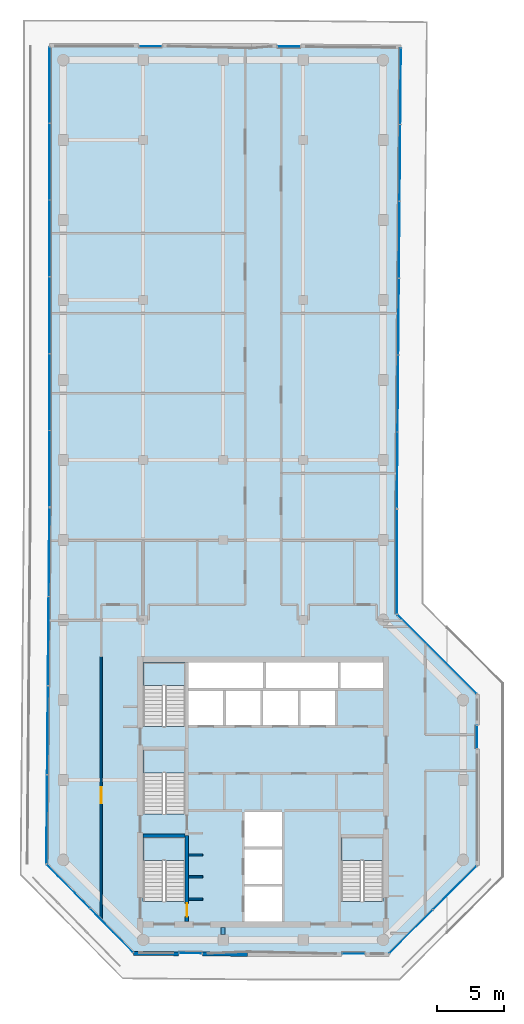
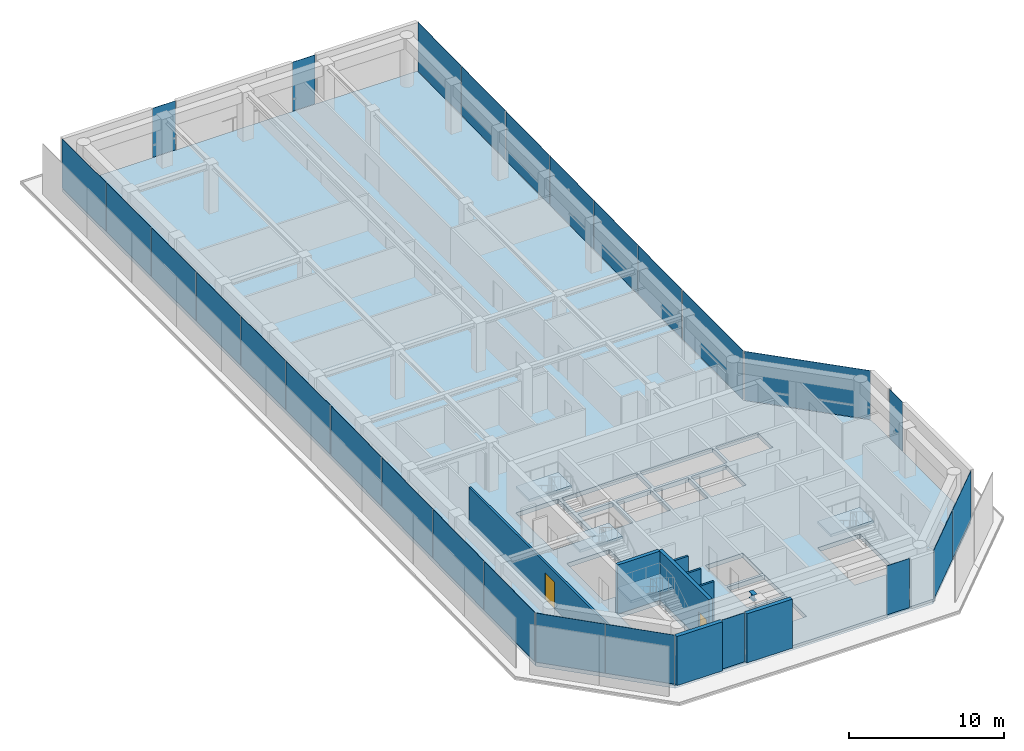
# One storey, part 14 of 19: 27 plates, 8 walls, 5 slabs, 2 doors, 1 beam, 2 openings, 16 elements without a shape of their own.
"""IFC4 building model written with IfcOpenShell, lengths in metres."""

from ifc_helpers import new_model, si_unit, direction, frame, frame_2d, origin, origin_2d, place, context, subcontext, project, spatial, polyline, rectangle, i_section, outline, extrude, material, layer, layer_set, material_profile, profile_set, type_object, element, fill, aggregate, save


model = new_model("IFC4")

# Units and contexts
model_context = context("Model", 3, precision=1e-05, world=origin(), true_north=direction((0.0, 1.0)))
body_context = subcontext(model_context, "Body", "Model", "MODEL_VIEW")
ifc_project = project(units=[si_unit("LENGTHUNIT", "METRE"), si_unit("AREAUNIT", "SQUARE_METRE"), si_unit("VOLUMEUNIT", "CUBIC_METRE"), si_unit("PLANEANGLEUNIT", "RADIAN"), si_unit("MASSUNIT", "GRAM", prefix="KILO")], contexts=[model_context])

# Site, building, storey
site_placement = place(None, origin())
site = spatial("IfcSite", under=ifc_project, at=site_placement, CompositionType="ELEMENT")
building_placement = place(site_placement, origin())
building = spatial("IfcBuilding", under=site, at=building_placement, Name="Welwitschia Terrace Campus", CompositionType="ELEMENT")
storey_placement = place(building_placement, frame((0.0, 0.0, 230.60009765625)))
storey = spatial("IfcBuildingStorey", under=building, at=storey_placement, Name="L51", CompositionType="ELEMENT", Elevation=230.60009765625)

# Beam
ifc_material_1 = material(Name="Steel S355", Category="steel")
ifc_material_profile = material_profile(ifc_material_1, i_section(OverallWidth=0.300048828125, OverallDepth=0.489990234375, WebThickness=0.011962890625, FlangeThickness=0.02294921875, FilletRadius=0.027099609375, at=origin_2d()))
ifc_profile_set = profile_set([ifc_material_profile], Name="Steel S355")
beam_type = type_object("IfcBeamType", Name="Primary beam HE 500 A", PredefinedType="BEAM", material=ifc_profile_set)
beam_placement = place(storey_placement, frame((12.0, 4.400390625, 3.60498046875), z_axis=(0.0, 1.0, 0.0), x_axis=(-1.0, 0.0, 0.0)))
element("IfcBeam", 1, at=beam_placement, inside=storey, type_object=beam_type, Name="Primary beam PB5", PredefinedType="BEAM", context=body_context, shape_type="SweptSolid", body=[
    extrude(i_section(OverallWidth=0.300048828125, OverallDepth=0.489990234375, WebThickness=0.011962890625, FlangeThickness=0.02294921875, FilletRadius=0.027099609375, at=origin_2d()), origin(), (0.0, 0.0, 1.0), 0.549560546875),
])

# Curtain wall, plate
ifc_material_2 = material(Name="Bronze anodised aluminium", Category="aluminium")
ifc_layer_1 = layer(ifc_material_2, 0.1201171875)
ifc_layer_set_1 = layer_set([ifc_layer_1], Name="Bronze anodised aluminium")
curtain_wall_type = type_object("IfcCurtainWallType", Name="Curtain wall CW2 tower 6000", PredefinedType="NOTDEFINED", material=ifc_layer_set_1)
curtain_wall_1_placement = place(storey_placement, origin())
curtain_wall_1 = element("IfcCurtainWall", 2, at=curtain_wall_1_placement, inside=storey, type_object=curtain_wall_type, Name="CW L51.0.S0", PredefinedType="NOTDEFINED")
ifc_material_3 = material(Name="Tinted bronze-grey glass", Category="glass")
ifc_layer_2 = layer(ifc_material_3, 0.028076171875)
ifc_layer_set_2 = layer_set([ifc_layer_2], Name="Tinted bronze-grey glass")
plate_type = type_object("IfcPlateType", Name="Glass panel 28 tinted", PredefinedType="CURTAIN_PANEL", material=ifc_layer_set_2)
plate_1_placement = place(storey_placement, frame((6.547119140625, 71.030029296875, -0.000244140625), z_axis=(0.0, 0.0, 1.0), x_axis=(-1.0, 0.0, 0.0)))
plate_1 = element("IfcPlate", 3, at=plate_1_placement, type_object=plate_type, Name="Panel L51.0.S0.0", PredefinedType="CURTAIN_PANEL", context=body_context, shape_type="SweptSolid", body=[
    extrude(rectangle(XDim=1.679931640625, YDim=0.028076171875, at=origin_2d()), origin(), (0.0, 0.0, 1.0), 3.85009765625),
])
aggregate(curtain_wall_1, [plate_1])

# Curtain wall, plates
curtain_wall_2_placement = place(storey_placement, origin())
curtain_wall_2 = element("IfcCurtainWall", 4, at=curtain_wall_2_placement, inside=storey, type_object=curtain_wall_type, Name="CW L51.1.0", PredefinedType="NOTDEFINED")
plate_2_placement = place(storey_placement, frame((-1.030029296875, 68.133544921875, -0.000244140625), z_axis=(0.0, 0.0, 1.0), x_axis=(0.0, -1.0, 0.0)))
plate_2 = element("IfcPlate", 5, at=plate_2_placement, type_object=plate_type, Name="Panel L51.1.0.0", PredefinedType="CURTAIN_PANEL", context=body_context, shape_type="SweptSolid", body=[
    extrude(rectangle(XDim=5.6728515625, YDim=0.028076171875, at=origin_2d()), origin(), (0.0, 0.0, 1.0), 3.85009765625),
])
plate_3_placement = place(storey_placement, frame((-1.030029296875, 62.385986328125, -0.000244140625), z_axis=(0.0, 0.0, 1.0), x_axis=(0.0, -1.0, 0.0)))
plate_3 = element("IfcPlate", 6, at=plate_3_placement, type_object=plate_type, Name="Panel L51.1.0.1", PredefinedType="CURTAIN_PANEL", context=body_context, shape_type="SweptSolid", body=[
    extrude(rectangle(XDim=5.70263671875, YDim=0.028076171875, at=origin_2d()), origin(), (0.0, 0.0, 1.0), 3.85009765625),
])
plate_4_placement = place(storey_placement, frame((-1.030029296875, 56.623046875, -0.000244140625), z_axis=(0.0, 0.0, 1.0), x_axis=(0.0, -1.0, 0.0)))
plate_4 = element("IfcPlate", 7, at=plate_4_placement, type_object=plate_type, Name="Panel L51.1.0.2", PredefinedType="CURTAIN_PANEL", context=body_context, shape_type="SweptSolid", body=[
    extrude(rectangle(XDim=5.70263671875, YDim=0.028076171875, at=origin_2d()), origin(), (0.0, 0.0, 1.0), 3.85009765625),
])
plate_5_placement = place(storey_placement, frame((-1.030029296875, 50.8603515625, -0.000244140625), z_axis=(0.0, 0.0, 1.0), x_axis=(0.0, -1.0, 0.0)))
plate_5 = element("IfcPlate", 8, at=plate_5_placement, type_object=plate_type, Name="Panel L51.1.0.3", PredefinedType="CURTAIN_PANEL", context=body_context, shape_type="SweptSolid", body=[
    extrude(rectangle(XDim=5.70263671875, YDim=0.028076171875, at=origin_2d()), origin(), (0.0, 0.0, 1.0), 3.85009765625),
])
plate_6_placement = place(storey_placement, frame((-1.030029296875, 45.09765625, -0.000244140625), z_axis=(0.0, 0.0, 1.0), x_axis=(0.0, -1.0, 0.0)))
plate_6 = element("IfcPlate", 9, at=plate_6_placement, type_object=plate_type, Name="Panel L51.1.0.4", PredefinedType="CURTAIN_PANEL", context=body_context, shape_type="SweptSolid", body=[
    extrude(rectangle(XDim=5.70263671875, YDim=0.028076171875, at=origin_2d()), origin(), (0.0, 0.0, 1.0), 3.85009765625),
])
plate_7_placement = place(storey_placement, frame((-1.030029296875, 39.349853515625, -0.000244140625), z_axis=(0.0, 0.0, 1.0), x_axis=(0.0, -1.0, 0.0)))
plate_7 = element("IfcPlate", 10, at=plate_7_placement, type_object=plate_type, Name="Panel L51.1.0.5", PredefinedType="CURTAIN_PANEL", context=body_context, shape_type="SweptSolid", body=[
    extrude(rectangle(XDim=5.6728515625, YDim=0.028076171875, at=origin_2d()), origin(), (0.0, 0.0, 1.0), 3.85009765625),
])
aggregate(curtain_wall_2, [plate_2, plate_3, plate_4, plate_5, plate_6, plate_7])

curtain_wall_3_placement = place(storey_placement, origin())
curtain_wall_3 = element("IfcCurtainWall", 11, at=curtain_wall_3_placement, inside=storey, type_object=curtain_wall_type, Name="CW L51.2.0", PredefinedType="NOTDEFINED")
plate_8_placement = place(storey_placement, frame((-1.059326171875, 33.094970703125, -0.000244140625), z_axis=(0.0, 0.0, 1.0), x_axis=(-0.008726535498, -0.999961923064, 0.0)))
plate_8 = element("IfcPlate", 12, at=plate_8_placement, type_object=plate_type, Name="Panel L51.2.0.0", PredefinedType="CURTAIN_PANEL", context=body_context, shape_type="SweptSolid", body=[
    extrude(rectangle(XDim=6.597412109375, YDim=0.028076171875, at=origin_2d()), origin(), (0.0, 0.0, 1.0), 3.85009765625),
])
plate_9_placement = place(storey_placement, frame((-1.117431640625, 26.4228515625, -0.000244140625), z_axis=(0.0, 0.0, 1.0), x_axis=(-0.008726535498, -0.999961923064, 0.0)))
plate_9 = element("IfcPlate", 13, at=plate_9_placement, type_object=plate_type, Name="Panel L51.2.0.1", PredefinedType="CURTAIN_PANEL", context=body_context, shape_type="SweptSolid", body=[
    extrude(rectangle(XDim=6.627197265625, YDim=0.028076171875, at=origin_2d()), origin(), (0.0, 0.0, 1.0), 3.85009765625),
])
plate_10_placement = place(storey_placement, frame((-1.17578125, 19.73583984375, -0.000244140625), z_axis=(0.0, 0.0, 1.0), x_axis=(-0.008726535498, -0.999961923064, 0.0)))
plate_10 = element("IfcPlate", 14, at=plate_10_placement, type_object=plate_type, Name="Panel L51.2.0.2", PredefinedType="CURTAIN_PANEL", context=body_context, shape_type="SweptSolid", body=[
    extrude(rectangle(XDim=6.627197265625, YDim=0.028076171875, at=origin_2d()), origin(), (0.0, 0.0, 1.0), 3.85009765625),
])
plate_11_placement = place(storey_placement, frame((-1.234130859375, 13.063720703125, -0.000244140625), z_axis=(0.0, 0.0, 1.0), x_axis=(-0.008726535498, -0.999961923064, 0.0)))
plate_11 = element("IfcPlate", 15, at=plate_11_placement, type_object=plate_type, Name="Panel L51.2.0.3", PredefinedType="CURTAIN_PANEL", context=body_context, shape_type="SweptSolid", body=[
    extrude(rectangle(XDim=6.597412109375, YDim=0.028076171875, at=origin_2d()), origin(), (0.0, 0.0, 1.0), 3.85009765625),
])
aggregate(curtain_wall_3, [plate_8, plate_9, plate_10, plate_11])

curtain_wall_4_placement = place(storey_placement, origin())
curtain_wall_4 = element("IfcCurtainWall", 16, at=curtain_wall_4_placement, inside=storey, type_object=curtain_wall_type, Name="CW L51.3.0", PredefinedType="NOTDEFINED")
plate_12_placement = place(storey_placement, frame((0.383544921875, 8.029541015625, -0.000244140625), z_axis=(0.0, 0.0, 1.0), x_axis=(0.7009092643, -0.713250449154, 0.0)))
plate_12 = element("IfcPlate", 17, at=plate_12_placement, type_object=plate_type, Name="Panel L51.3.0.0", PredefinedType="CURTAIN_PANEL", context=body_context, shape_type="SweptSolid", body=[
    extrude(rectangle(XDim=4.579345703125, YDim=0.028076171875, at=origin_2d()), origin(), (0.0, 0.0, 1.0), 3.85009765625),
])
plate_13_placement = place(storey_placement, frame((3.63525390625, 4.720458984375, -0.000244140625), z_axis=(0.0, 0.0, 1.0), x_axis=(0.7009092643, -0.713250449154, 0.0)))
plate_13 = element("IfcPlate", 18, at=plate_13_placement, type_object=plate_type, Name="Panel L51.3.0.1", PredefinedType="CURTAIN_PANEL", context=body_context, shape_type="SweptSolid", body=[
    extrude(rectangle(XDim=4.579345703125, YDim=0.028076171875, at=origin_2d()), origin(), (0.0, 0.0, 1.0), 3.85009765625),
])
aggregate(curtain_wall_4, [plate_12, plate_13])

# Curtain wall, plate
curtain_wall_5_placement = place(storey_placement, origin())
curtain_wall_5 = element("IfcCurtainWall", 19, at=curtain_wall_5_placement, inside=storey, type_object=curtain_wall_type, Name="CW L51.4.S0", PredefinedType="NOTDEFINED")
plate_14_placement = place(storey_placement, frame((9.5546875, 3.00732421875, -0.000244140625), z_axis=(0.0, 0.0, 1.0), x_axis=(0.999961923064, -0.008726535498, 0.0)))
plate_14 = element("IfcPlate", 20, at=plate_14_placement, type_object=plate_type, Name="Panel L51.4.S0.0", PredefinedType="CURTAIN_PANEL", context=body_context, shape_type="SweptSolid", body=[
    extrude(rectangle(XDim=1.679931640625, YDim=0.028076171875, at=origin_2d()), origin(), (0.0, 0.0, 1.0), 3.85009765625),
])
aggregate(curtain_wall_5, [plate_14])

curtain_wall_6_placement = place(storey_placement, origin())
curtain_wall_6 = element("IfcCurtainWall", 21, at=curtain_wall_6_placement, inside=storey, type_object=curtain_wall_type, Name="CW L51.5.S0", PredefinedType="NOTDEFINED")
plate_15_placement = place(storey_placement, frame((21.77685546875, 2.969970703125, -0.000244140625), z_axis=(0.0, 0.0, 1.0), x_axis=(1.0, 0.0, 0.0)))
plate_15 = element("IfcPlate", 22, at=plate_15_placement, type_object=plate_type, Name="Panel L51.5.S0.0", PredefinedType="CURTAIN_PANEL", context=body_context, shape_type="SweptSolid", body=[
    extrude(rectangle(XDim=1.679931640625, YDim=0.028076171875, at=origin_2d()), origin(), (0.0, 0.0, 1.0), 3.85009765625),
])
aggregate(curtain_wall_6, [plate_15])

# Curtain wall, plates
curtain_wall_7_placement = place(storey_placement, origin())
curtain_wall_7 = element("IfcCurtainWall", 23, at=curtain_wall_7_placement, inside=storey, type_object=curtain_wall_type, Name="CW L51.6.0", PredefinedType="NOTDEFINED")
plate_16_placement = place(storey_placement, frame((26.088134765625, 4.63134765625, -0.000244140625), z_axis=(0.0, 0.0, 1.0), x_axis=(0.707106781187, 0.707106781187, 0.0)))
plate_16 = element("IfcPlate", 24, at=plate_16_placement, type_object=plate_type, Name="Panel L51.6.0.0", PredefinedType="CURTAIN_PANEL", context=body_context, shape_type="SweptSolid", body=[
    extrude(rectangle(XDim=4.579345703125, YDim=0.028076171875, at=origin_2d()), origin(), (0.0, 0.0, 1.0), 3.85009765625),
])
plate_17_placement = place(storey_placement, frame((29.36865234375, 7.911865234375, -0.000244140625), z_axis=(0.0, 0.0, 1.0), x_axis=(0.707106781187, 0.707106781187, 0.0)))
plate_17 = element("IfcPlate", 25, at=plate_17_placement, type_object=plate_type, Name="Panel L51.6.0.1", PredefinedType="CURTAIN_PANEL", context=body_context, shape_type="SweptSolid", body=[
    extrude(rectangle(XDim=4.579345703125, YDim=0.028076171875, at=origin_2d()), origin(), (0.0, 0.0, 1.0), 3.85009765625),
])
aggregate(curtain_wall_7, [plate_16, plate_17])

# Curtain wall, plate
curtain_wall_8_placement = place(storey_placement, origin())
curtain_wall_8 = element("IfcCurtainWall", 26, at=curtain_wall_8_placement, inside=storey, type_object=curtain_wall_type, Name="CW L51.7.S0", PredefinedType="NOTDEFINED")
plate_18_placement = place(storey_placement, frame((31.030029296875, 19.21337890625, -0.000244140625), z_axis=(0.0, 0.0, 1.0), x_axis=(0.0, 1.0, 0.0)))
plate_18 = element("IfcPlate", 27, at=plate_18_placement, type_object=plate_type, Name="Panel L51.7.S0.0", PredefinedType="CURTAIN_PANEL", context=body_context, shape_type="SweptSolid", body=[
    extrude(rectangle(XDim=1.679931640625, YDim=0.028076171875, at=origin_2d()), origin(), (0.0, 0.0, 1.0), 3.85009765625),
])
aggregate(curtain_wall_8, [plate_18])

curtain_wall_9_placement = place(storey_placement, origin())
curtain_wall_9 = element("IfcCurtainWall", 28, at=curtain_wall_9_placement, inside=storey, type_object=curtain_wall_type, Name="CW L51.8.0", PredefinedType="NOTDEFINED")
plate_19_placement = place(storey_placement, frame((28.030029296875, 25.4267578125, -0.000244140625), z_axis=(0.0, 0.0, 1.0), x_axis=(-0.707106781187, 0.707106781187, 0.0)))
plate_19 = element("IfcPlate", 29, at=plate_19_placement, type_object=plate_type, Name="Panel L51.8.0.0", PredefinedType="CURTAIN_PANEL", context=body_context, shape_type="SweptSolid", body=[
    extrude(rectangle(XDim=8.365234375, YDim=0.028076171875, at=origin_2d()), origin(), (0.0, 0.0, 1.0), 3.85009765625),
])
aggregate(curtain_wall_9, [plate_19])

curtain_wall_10_placement = place(storey_placement, origin())
curtain_wall_10 = element("IfcCurtainWall", 30, at=curtain_wall_10_placement, inside=storey, type_object=curtain_wall_type, Name="CW L51.9.0", PredefinedType="NOTDEFINED")
plate_20_placement = place(storey_placement, frame((25.030029296875, 32.38330078125, -0.000244140625), z_axis=(0.0, 0.0, 1.0), x_axis=(0.0, 1.0, 0.0)))
plate_20 = element("IfcPlate", 31, at=plate_20_placement, type_object=plate_type, Name="Panel L51.9.0.0", PredefinedType="CURTAIN_PANEL", context=body_context, shape_type="SweptSolid", body=[
    extrude(rectangle(XDim=7.793212890625, YDim=0.028076171875, at=origin_2d()), origin(), (0.0, 0.0, 1.0), 3.85009765625),
])
aggregate(curtain_wall_10, [plate_20])

# Curtain wall, plates
curtain_wall_11_placement = place(storey_placement, origin())
curtain_wall_11 = element("IfcCurtainWall", 32, at=curtain_wall_11_placement, inside=storey, type_object=curtain_wall_type, Name="CW L51.10.0", PredefinedType="NOTDEFINED")
plate_21_placement = place(storey_placement, frame((25.05517578125, 39.237548828125, -0.000244140625), z_axis=(0.0, 0.0, 1.0), x_axis=(0.008726535498, 0.999961923064, 0.0)))
plate_21 = element("IfcPlate", 33, at=plate_21_placement, type_object=plate_type, Name="Panel L51.10.0.0", PredefinedType="CURTAIN_PANEL", context=body_context, shape_type="SweptSolid", body=[
    extrude(rectangle(XDim=5.675537109375, YDim=0.028076171875, at=origin_2d()), origin(), (0.0, 0.0, 1.0), 3.85009765625),
])
plate_22_placement = place(storey_placement, frame((25.10546875, 44.988037109375, -0.000244140625), z_axis=(0.0, 0.0, 1.0), x_axis=(0.008726535498, 0.999961923064, 0.0)))
plate_22 = element("IfcPlate", 34, at=plate_22_placement, type_object=plate_type, Name="Panel L51.10.0.1", PredefinedType="CURTAIN_PANEL", context=body_context, shape_type="SweptSolid", body=[
    extrude(rectangle(XDim=5.70556640625, YDim=0.028076171875, at=origin_2d()), origin(), (0.0, 0.0, 1.0), 3.85009765625),
])
plate_23_placement = place(storey_placement, frame((25.15576171875, 50.75341796875, -0.000244140625), z_axis=(0.0, 0.0, 1.0), x_axis=(0.008726535498, 0.999961923064, 0.0)))
plate_23 = element("IfcPlate", 35, at=plate_23_placement, type_object=plate_type, Name="Panel L51.10.0.2", PredefinedType="CURTAIN_PANEL", context=body_context, shape_type="SweptSolid", body=[
    extrude(rectangle(XDim=5.70556640625, YDim=0.028076171875, at=origin_2d()), origin(), (0.0, 0.0, 1.0), 3.85009765625),
])
plate_24_placement = place(storey_placement, frame((25.2060546875, 56.518798828125, -0.000244140625), z_axis=(0.0, 0.0, 1.0), x_axis=(0.008726535498, 0.999961923064, 0.0)))
plate_24 = element("IfcPlate", 36, at=plate_24_placement, type_object=plate_type, Name="Panel L51.10.0.3", PredefinedType="CURTAIN_PANEL", context=body_context, shape_type="SweptSolid", body=[
    extrude(rectangle(XDim=5.70556640625, YDim=0.028076171875, at=origin_2d()), origin(), (0.0, 0.0, 1.0), 3.85009765625),
])
plate_25_placement = place(storey_placement, frame((25.25634765625, 62.2841796875, -0.000244140625), z_axis=(0.0, 0.0, 1.0), x_axis=(0.008726535498, 0.999961923064, 0.0)))
plate_25 = element("IfcPlate", 37, at=plate_25_placement, type_object=plate_type, Name="Panel L51.10.0.4", PredefinedType="CURTAIN_PANEL", context=body_context, shape_type="SweptSolid", body=[
    extrude(rectangle(XDim=5.70556640625, YDim=0.028076171875, at=origin_2d()), origin(), (0.0, 0.0, 1.0), 3.85009765625),
])
plate_26_placement = place(storey_placement, frame((25.306640625, 68.034423828125, -0.000244140625), z_axis=(0.0, 0.0, 1.0), x_axis=(0.008726535498, 0.999961923064, 0.0)))
plate_26 = element("IfcPlate", 38, at=plate_26_placement, type_object=plate_type, Name="Panel L51.10.0.5", PredefinedType="CURTAIN_PANEL", context=body_context, shape_type="SweptSolid", body=[
    extrude(rectangle(XDim=5.675537109375, YDim=0.028076171875, at=origin_2d()), origin(), (0.0, 0.0, 1.0), 3.85009765625),
])
aggregate(curtain_wall_11, [plate_21, plate_22, plate_23, plate_24, plate_25, plate_26])

# Curtain wall, plate
curtain_wall_12_placement = place(storey_placement, origin())
curtain_wall_12 = element("IfcCurtainWall", 39, at=curtain_wall_12_placement, inside=storey, type_object=curtain_wall_type, Name="CW L51.11.S0", PredefinedType="NOTDEFINED")
plate_27_placement = place(storey_placement, frame((16.926025390625, 71.005615234375, -0.000244140625), z_axis=(0.0, 0.0, 1.0), x_axis=(-0.999961923064, 0.008726535498, 0.0)))
plate_27 = element("IfcPlate", 40, at=plate_27_placement, type_object=plate_type, Name="Panel L51.11.S0.0", PredefinedType="CURTAIN_PANEL", context=body_context, shape_type="SweptSolid", body=[
    extrude(rectangle(XDim=1.679931640625, YDim=0.028076171875, at=origin_2d()), origin(), (0.0, 0.0, 1.0), 3.85009765625),
])
aggregate(curtain_wall_12, [plate_27])

# Stair, slab
ifc_material_4 = material(Name="Concrete C40/50", Category="concrete")
stair_type = type_object("IfcStairType", Name="Stair 24R 175 W1500", PredefinedType="HALF_TURN_STAIR", material=ifc_material_4)
stair_1_placement = place(storey_placement, origin())
stair_1 = element("IfcStair", 41, at=stair_1_placement, inside=storey, type_object=stair_type, Name="L51 Exit stair S1", PredefinedType="HALF_TURN_STAIR")
ifc_material_5 = material(Name="Concrete C40/50", Category="concrete")
ifc_layer_3 = layer(ifc_material_5, 0.199951171875)
ifc_layer_set_3 = layer_set([ifc_layer_3], Name="Concrete C40/50")
slab_type_1 = type_object("IfcSlabType", Name="Stair landing RC", PredefinedType="LANDING", material=ifc_layer_set_3)
slab_1_placement = place(storey_placement, frame((0.0, 0.0, 1.89990234375)))
slab_1 = element("IfcSlab", 42, at=slab_1_placement, type_object=slab_type_1, Name="S1 landing 1", PredefinedType="LANDING", context=body_context, shape_type="SweptSolid", body=[
    extrude(outline(polyline([(9.14990234375, 9.97998046875), (9.14990234375, 11.699951171875), (6.0, 11.699951171875), (6.0, 9.97998046875), (9.14990234375, 9.97998046875)])), origin(), (0.0, 0.0, 1.0), 0.199951171875),
])
aggregate(stair_1, [slab_1])

stair_2_placement = place(storey_placement, origin())
stair_2 = element("IfcStair", 43, at=stair_2_placement, inside=storey, type_object=stair_type, Name="L51 Exit stair S3", PredefinedType="HALF_TURN_STAIR")
slab_2_placement = place(storey_placement, frame((0.0, 0.0, 1.89990234375)))
slab_2 = element("IfcSlab", 44, at=slab_2_placement, type_object=slab_type_1, Name="S3 landing 1", PredefinedType="LANDING", context=body_context, shape_type="SweptSolid", body=[
    extrude(outline(polyline([(9.14990234375, 16.530029296875), (9.14990234375, 18.25), (6.0, 18.25), (6.0, 16.530029296875), (9.14990234375, 16.530029296875)])), origin(), (0.0, 0.0, 1.0), 0.199951171875),
])
aggregate(stair_2, [slab_2])

stair_3_placement = place(storey_placement, origin())
stair_3 = element("IfcStair", 45, at=stair_3_placement, inside=storey, type_object=stair_type, Name="L51 Exit stair S4", PredefinedType="HALF_TURN_STAIR")
slab_3_placement = place(storey_placement, frame((0.0, 0.0, 1.89990234375)))
slab_3 = element("IfcSlab", 46, at=slab_3_placement, type_object=slab_type_1, Name="S4 landing 1", PredefinedType="LANDING", context=body_context, shape_type="SweptSolid", body=[
    extrude(outline(polyline([(9.14990234375, 23.080078125), (9.14990234375, 24.800048828125), (6.0, 24.800048828125), (6.0, 23.080078125), (9.14990234375, 23.080078125)])), origin(), (0.0, 0.0, 1.0), 0.199951171875),
])
aggregate(stair_3, [slab_3])

stair_4_placement = place(storey_placement, origin())
stair_4 = element("IfcStair", 47, at=stair_4_placement, inside=storey, type_object=stair_type, Name="L51 Exit stair S2", PredefinedType="HALF_TURN_STAIR")
slab_4_placement = place(storey_placement, frame((0.0, 0.0, 1.89990234375)))
slab_4 = element("IfcSlab", 48, at=slab_4_placement, type_object=slab_type_1, Name="S2 landing 1", PredefinedType="LANDING", context=body_context, shape_type="SweptSolid", body=[
    extrude(outline(polyline([(24.0, 9.97998046875), (24.0, 11.699951171875), (20.85009765625, 11.699951171875), (20.85009765625, 9.97998046875), (24.0, 9.97998046875)])), origin(), (0.0, 0.0, 1.0), 0.199951171875),
])
aggregate(stair_4, [slab_4])

# Slab
ifc_material_6 = material(Name="Concrete C40/50", Category="concrete")
ifc_layer_4 = layer(ifc_material_6, 0.35009765625)
ifc_layer_set_4 = layer_set([ifc_layer_4], Name="Concrete C40/50")
slab_type_2 = type_object("IfcSlabType", Name="Suspended floor slab 350", PredefinedType="FLOOR", material=ifc_layer_set_4)
slab_5_placement = place(storey_placement, frame((0.0, 0.0, -0.35009765625)))
element("IfcSlab", 49, at=slab_5_placement, inside=storey, type_object=slab_type_2, Name="Floor slab L51", PredefinedType="FLOOR", context=body_context, shape_type="SweptSolid", body=[
    extrude(outline(polyline([(25.301513671875, 70.90234375), (25.0, 36.340087890625), (25.0, 28.414306640625), (31.0, 22.414306640625), (31.0, 9.585693359375), (24.414306640625, 3.0), (13.827392578125, 3.0), (5.294677734375, 3.074462890625), (-1.2333984375, 9.717529296875), (-1.0, 36.453369140625), (-1.0, 71.0), (14.1240234375, 71.0), (25.301513671875, 70.90234375)]), holes=[polyline([(13.60009765625, 8.0), (13.60009765625, 5.39990234375), (16.39990234375, 5.39990234375), (16.39990234375, 8.0), (13.60009765625, 8.0)]), polyline([(9.14990234375, 11.699951171875), (6.0, 11.699951171875), (6.0, 6.902099609375), (9.14990234375, 6.902099609375), (9.14990234375, 11.699951171875)]), polyline([(9.14990234375, 18.25), (6.0, 18.25), (6.0, 13.451904296875), (9.14990234375, 13.451904296875), (9.14990234375, 18.25)]), polyline([(12.0, 22.699951171875), (9.39990234375, 22.699951171875), (9.39990234375, 20.10009765625), (12.0, 20.10009765625), (12.0, 22.699951171875)]), polyline([(14.800048828125, 22.699951171875), (12.199951171875, 22.699951171875), (12.199951171875, 20.10009765625), (14.800048828125, 20.10009765625), (14.800048828125, 22.699951171875)]), polyline([(9.14990234375, 24.800048828125), (6.0, 24.800048828125), (6.0, 20.001953125), (9.14990234375, 20.001953125), (9.14990234375, 24.800048828125)]), polyline([(15.0, 24.800048828125), (9.39990234375, 24.800048828125), (9.39990234375, 22.89990234375), (15.0, 22.89990234375), (15.0, 24.800048828125)]), polyline([(20.85009765625, 11.699951171875), (20.85009765625, 6.902099609375), (24.0, 6.902099609375), (24.0, 11.699951171875), (20.85009765625, 11.699951171875)]), polyline([(16.39990234375, 10.800048828125), (13.60009765625, 10.800048828125), (13.60009765625, 8.199951171875), (16.39990234375, 8.199951171875), (16.39990234375, 10.800048828125)]), polyline([(16.39990234375, 13.60009765625), (13.60009765625, 13.60009765625), (13.60009765625, 11.0), (16.39990234375, 11.0), (16.39990234375, 13.60009765625)]), polyline([(17.60009765625, 22.699951171875), (15.0, 22.699951171875), (15.0, 20.10009765625), (17.60009765625, 20.10009765625), (17.60009765625, 22.699951171875)]), polyline([(20.39990234375, 22.699951171875), (17.800048828125, 22.699951171875), (17.800048828125, 20.10009765625), (20.39990234375, 20.10009765625), (20.39990234375, 22.699951171875)]), polyline([(20.60009765625, 24.800048828125), (15.199951171875, 24.800048828125), (15.199951171875, 22.89990234375), (20.60009765625, 22.89990234375), (20.60009765625, 24.800048828125)]), polyline([(24.0, 24.800048828125), (20.800048828125, 24.800048828125), (20.800048828125, 22.89990234375), (24.0, 22.89990234375), (24.0, 24.800048828125)])]), origin(), (0.0, 0.0, 1.0), 0.35009765625),
])

# Walls
ifc_material_7 = material(Name="Concrete C50/60", Category="concrete")
ifc_layer_5 = layer(ifc_material_7, 0.14990234375)
ifc_layer_set_5 = layer_set([ifc_layer_5], Name="Concrete C50/60")
wall_type_1 = type_object("IfcWallType", Name="Core wall 150 Concrete C50/60", PredefinedType="SHEAR", material=ifc_layer_set_5)
for number, where, z_axis, x_axis, name in (
    (50, (9.39990234375, 7.074951171875, 0.0), (0.0, 0.0, 1.0), (1.0, 0.0, 0.0), "Core wall"),
    (51, (9.39990234375, 8.72509765625, 0.0), (0.0, 0.0, 1.0), (1.0, 0.0, 0.0), "Core wall"),
    (52, (9.39990234375, 10.375, 0.0), (0.0, 0.0, 1.0), (1.0, 0.0, 0.0), "Core wall"),
):
    element("IfcWall", number, at=place(storey_placement, frame(where, z_axis=z_axis, x_axis=x_axis)), inside=storey, type_object=wall_type_1, Name=name, PredefinedType="SHEAR", context=body_context, shape_type="SweptSolid", body=[
        extrude(rectangle(XDim=1.050048828125, YDim=0.14990234375, at=frame_2d((0.52490234375, 0.0))), origin(), (0.0, 0.0, 1.0), 3.849853515625),
    ])
ifc_material_8 = material(Name="Concrete C50/60", Category="concrete")
ifc_layer_6 = layer(ifc_material_8, 0.25)
ifc_layer_set_6 = layer_set([ifc_layer_6], Name="Concrete C50/60")
wall_type_2 = type_object("IfcWallType", Name="Core wall 250 Concrete C50/60", PredefinedType="SHEAR", material=ifc_layer_set_6)
wall_1_placement = place(storey_placement, frame((6.0, 11.824951171875, 0.0), z_axis=(0.0, 0.0, 1.0), x_axis=(1.0, 0.0, 0.0)))
element("IfcWall", 53, at=wall_1_placement, inside=storey, type_object=wall_type_2, Name="Core wall", PredefinedType="SHEAR", context=body_context, shape_type="SweptSolid", body=[
    extrude(rectangle(XDim=3.14990234375, YDim=0.25, at=frame_2d((1.574951171875, 0.0))), origin(), (0.0, 0.0, 1.0), 3.849853515625),
])

# Wall, opening, door
wall_2_placement = place(storey_placement, frame((9.27490234375, 11.824951171875, 0.0), z_axis=(0.0, 0.0, 1.0), x_axis=(0.0, -1.0, 0.0)))
wall_2 = element("IfcWall", 54, at=wall_2_placement, inside=storey, type_object=wall_type_2, Name="Core wall", PredefinedType="SHEAR", context=body_context, shape_type="SweptSolid", body=[
    extrude(rectangle(XDim=6.425048828125, YDim=0.25, at=frame_2d((3.21240234375, 0.0))), origin(), (0.0, 0.0, 1.0), 3.849853515625),
])
opening_1_placement = place(wall_2_placement, frame((5.074951171875, 0.0, 0.0)))
opening_1 = element("IfcOpeningElement", 55, at=opening_1_placement, cuts=wall_2, Name="Opening DS10", PredefinedType="OPENING", context=body_context, shape_type="SweptSolid", body=[
    extrude(rectangle(XDim=1.0, YDim=2.10009765625, at=frame_2d((0.5, 1.050048828125))), frame((0.0, 0.135009765625, 0.0), z_axis=(0.0, -1.0, 0.0), x_axis=(1.0, 0.0, 0.0)), (0.0, 0.0, 1.0), 0.27001953125),
])
ifc_material_9 = material(Name="Steel S275", Category="steel")
door_type_1 = type_object("IfcDoorType", Name="Core door DS10", OperationType="SINGLE_SWING_LEFT", PredefinedType="DOOR", material=ifc_material_9)
door_1_placement = place(opening_1_placement, origin())
door_1 = element("IfcDoor", 56, at=door_1_placement, inside=storey, type_object=door_type_1, Name="Door S1-FL", OperationType="SINGLE_SWING_RIGHT", OverallHeight=2.10009765625, OverallWidth=1.0, PredefinedType="DOOR", context=body_context, shape_type="SweptSolid", body=[
    extrude(rectangle(XDim=1.0, YDim=2.10009765625, at=frame_2d((0.5, 1.050048828125))), frame((0.0, 0.02490234375, 0.0), z_axis=(0.0, -1.0, 0.0), x_axis=(1.0, 0.0, 0.0)), (0.0, 0.0, 1.0), 0.050048828125),
])
fill(opening_1, door_1)

ifc_material_10 = material(Name="Gypsum board on steel studs", Category="steel")
ifc_layer_7 = layer(ifc_material_10, 0.14990234375)
ifc_layer_set_7 = layer_set([ifc_layer_7], Name="Gypsum board on steel studs")
wall_type_3 = type_object("IfcWallType", Name="Corridor partition 150 EI 30", PredefinedType="PARTITIONING", material=ifc_layer_set_7)
wall_3_placement = place(storey_placement, frame((2.85009765625, 5.590087890625, 0.0), z_axis=(0.0, 0.0, 1.0), x_axis=(0.0, 1.0, 0.0)))
wall_3 = element("IfcWall", 57, at=wall_3_placement, inside=storey, type_object=wall_type_3, Name="Partition", PredefinedType="PARTITIONING", context=body_context, shape_type="SweptSolid", body=[
    extrude(rectangle(XDim=19.659912109375, YDim=0.14990234375, at=frame_2d((9.830078125, 0.0))), origin(), (0.0, 0.0, 1.0), 2.8798828125),
])
opening_2_placement = place(wall_3_placement, frame((8.659912109375, 0.0, 0.0)))
opening_2 = element("IfcOpeningElement", 58, at=opening_2_placement, cuts=wall_3, Name="Opening DI12", PredefinedType="OPENING", context=body_context, shape_type="SweptSolid", body=[
    extrude(rectangle(XDim=1.199951171875, YDim=2.10009765625, at=frame_2d((0.60009765625, 1.050048828125))), frame((0.0, 0.0849609375, 0.0), z_axis=(0.0, -1.0, 0.0), x_axis=(1.0, 0.0, 0.0)), (0.0, 0.0, 1.0), 0.169921875),
])
ifc_material_11 = material(Name="Timber veneered door", Category="wood")
door_type_2 = type_object("IfcDoorType", Name="Interior door DI12", OperationType="NOTDEFINED", PredefinedType="DOOR", material=ifc_material_11)
door_2_placement = place(opening_2_placement, origin())
door_2 = element("IfcDoor", 59, at=door_2_placement, inside=storey, type_object=door_type_2, Name="Door L51 948", OperationType="SINGLE_SWING_LEFT", OverallHeight=2.10009765625, OverallWidth=1.199951171875, PredefinedType="DOOR", context=body_context, shape_type="SweptSolid", body=[
    extrude(rectangle(XDim=1.199951171875, YDim=2.10009765625, at=frame_2d((0.60009765625, 1.050048828125))), frame((0.0, 0.02490234375, 0.0), z_axis=(0.0, -1.0, 0.0), x_axis=(1.0, 0.0, 0.0)), (0.0, 0.0, 1.0), 0.050048828125),
])
fill(opening_2, door_2)

# Walls
ifc_material_12 = material(Name="Concrete C40/50", Category="concrete")
ifc_layer_8 = layer(ifc_material_12, 0.300048828125)
ifc_layer_set_8 = layer_set([ifc_layer_8], Name="Concrete C40/50")
wall_type_4 = type_object("IfcWallType", Name="Mass wall 300", PredefinedType="SOLIDWALL", material=ifc_layer_set_8)
wall_4_placement = place(storey_placement, frame((5.281494140625, 2.994873046875, 0.0), z_axis=(0.0, 0.0, 1.0), x_axis=(0.999962277007, -0.008685882971, 0.0)))
element("IfcWall", 60, at=wall_4_placement, inside=storey, type_object=wall_type_4, Name="Mass wall L51.4.0", PredefinedType="SOLIDWALL", context=body_context, shape_type="SweptSolid", body=[
    extrude(rectangle(XDim=3.373046875, YDim=0.300048828125, at=frame_2d((1.6865234375, 0.0))), origin(), (0.0, 0.0, 1.0), 3.849853515625),
])
wall_5_placement = place(storey_placement, frame((10.4541015625, 2.949462890625, 0.0), z_axis=(0.0, 0.0, 1.0), x_axis=(0.999961640154, -0.008758893764, 0.0)))
element("IfcWall", 61, at=wall_5_placement, inside=storey, type_object=wall_type_4, Name="Mass wall L51.4.1", PredefinedType="SOLIDWALL", context=body_context, shape_type="SweptSolid", body=[
    extrude(rectangle(XDim=3.372802734375, YDim=0.300048828125, at=frame_2d((1.6865234375, 0.0))), origin(), (0.0, 0.0, 1.0), 3.849853515625),
])

save(model, "model.ifc")
